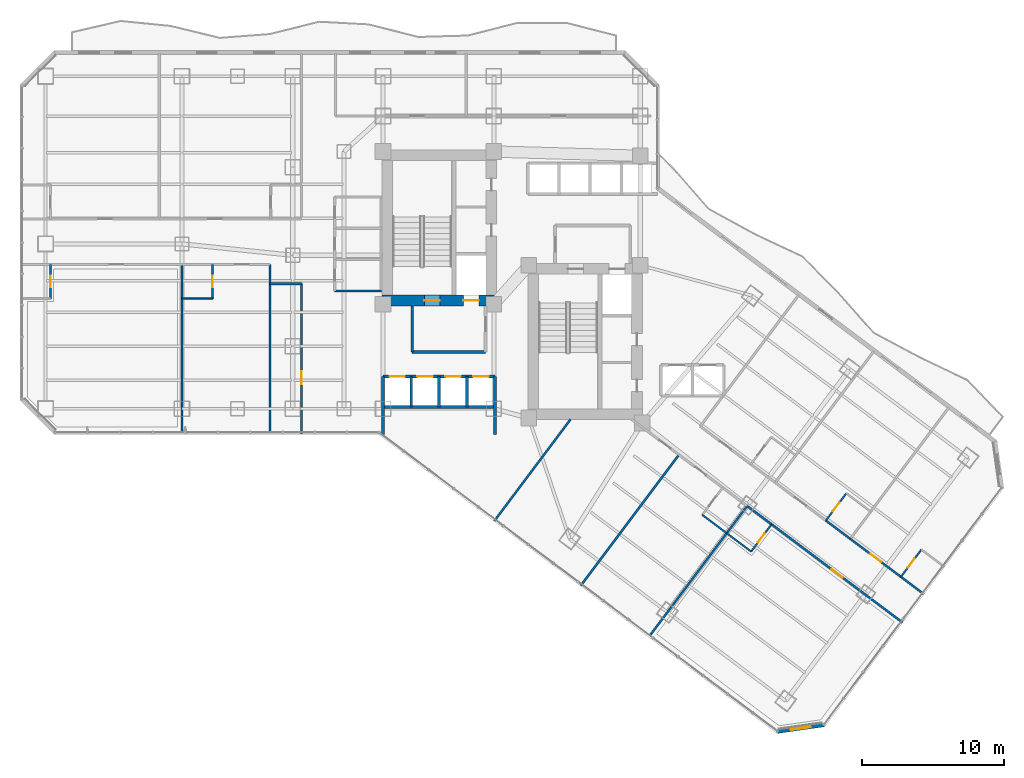
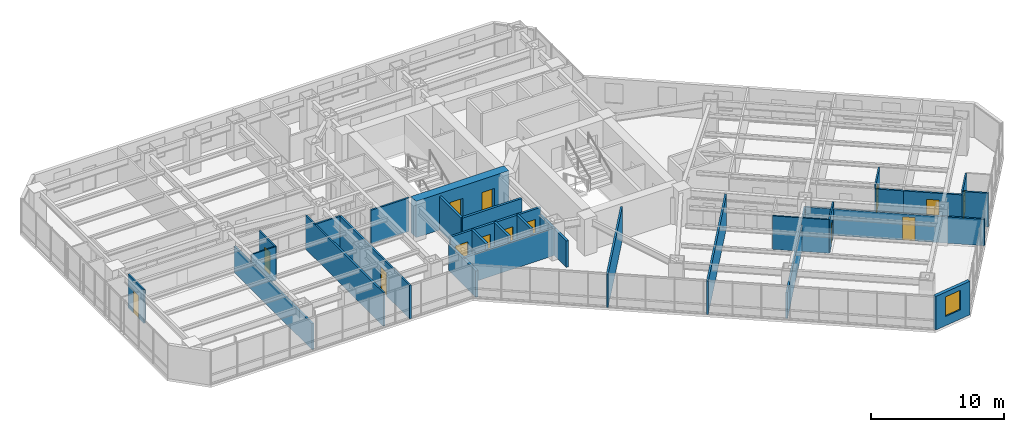
# One storey, part 28 of 39: 32 walls, 14 doors, 1 window, 15 openings.
"""IFC4 building model written with IfcOpenShell, lengths in metres."""

from ifc_helpers import new_model, si_unit, direction, frame, frame_2d, origin, place, context, subcontext, project, spatial, rectangle, extrude, material, layer, layer_set, type_object, element, fill, save


model = new_model("IFC4")

# Units and contexts
model_context = context("Model", 3, precision=1e-05, world=origin(), true_north=direction((0.0, 1.0)))
body_context = subcontext(model_context, "Body", "Model", "MODEL_VIEW")
ifc_project = project(units=[si_unit("LENGTHUNIT", "METRE"), si_unit("AREAUNIT", "SQUARE_METRE"), si_unit("VOLUMEUNIT", "CUBIC_METRE"), si_unit("PLANEANGLEUNIT", "RADIAN"), si_unit("MASSUNIT", "GRAM", prefix="KILO")], contexts=[model_context])

# Site, building, storey
site_placement = place(None, origin())
site = spatial("IfcSite", under=ifc_project, at=site_placement, CompositionType="ELEMENT")
building_placement = place(site_placement, origin())
building = spatial("IfcBuilding", under=site, at=building_placement, Name="Hatsunagi Terrace Concourse", CompositionType="ELEMENT")
storey_placement = place(building_placement, frame((0.0, 0.0, 66.75)))
storey = spatial("IfcBuildingStorey", under=building, at=storey_placement, Name="L17", CompositionType="ELEMENT", Elevation=66.75)

# Wall, openings, doors
ifc_material_1 = material(Name="Concrete Fc60", Category="concrete")
ifc_layer_1 = layer(ifc_material_1, 0.75)
ifc_layer_set_1 = layer_set([ifc_layer_1], Name="CoreShearWall_Fc60_750")
wall_type_1 = type_object("IfcWallType", Name="CoreShearWall_Fc60_750", PredefinedType="SHEAR", material=ifc_layer_set_1)
wall_1_placement = place(storey_placement, frame((25.469970703125, 32.81494140625, 0.0), z_axis=(0.0, 0.0, 1.0), x_axis=(1.0, 0.0, 0.0)))
wall_1 = element("IfcWall", 1, at=wall_1_placement, inside=storey, type_object=wall_type_1, Name="Core A Shear Wall S L17", PredefinedType="SHEAR", context=body_context, shape_type="SweptSolid", body=[
    extrude(rectangle(XDim=8.080078125, YDim=0.75, at=frame_2d((4.0400390625, 0.0))), origin(), (0.0, 0.0, 1.0), 3.35009765625),
])
opening_1_placement = place(wall_1_placement, frame((2.97998046875, 0.0, 0.0)))
opening_1 = element("IfcOpeningElement", 2, at=opening_1_placement, cuts=wall_1, Name="Opening DR-110S", PredefinedType="OPENING", context=body_context, shape_type="SweptSolid", body=[
    extrude(rectangle(XDim=1.10009765625, YDim=2.199951171875, at=frame_2d((0.550048828125, 1.10009765625))), frame((0.0, 0.385009765625, 0.0), z_axis=(0.0, -1.0, 0.0), x_axis=(1.0, 0.0, 0.0)), (0.0, 0.0, 1.0), 0.77001953125),
])
opening_2_placement = place(wall_1_placement, frame((5.72998046875, 0.0, 0.0)))
opening_2 = element("IfcOpeningElement", 3, at=opening_2_placement, cuts=wall_1, Name="Opening LD-01", PredefinedType="OPENING", context=body_context, shape_type="SweptSolid", body=[
    extrude(rectangle(XDim=1.10009765625, YDim=2.14990234375, at=frame_2d((0.550048828125, 1.074951171875))), frame((0.0, 0.385009765625, 0.0), z_axis=(0.0, -1.0, 0.0), x_axis=(1.0, 0.0, 0.0)), (0.0, 0.0, 1.0), 0.77001953125),
])
ifc_material_2 = material(Name="Stainless steel", Category="steel")
door_type_1 = type_object("IfcDoorType", Name="LiftLandingDoor_LD01", OperationType="SLIDING_TO_LEFT", PredefinedType="USERDEFINED", material=ifc_material_2)
door_1_placement = place(opening_2_placement, origin())
door_1 = element("IfcDoor", 4, at=door_1_placement, inside=storey, type_object=door_type_1, Name="Lift landing door FF-01 L17", ObjectType="SLIDING_LANDING_DOOR", OperationType="SLIDING_TO_LEFT", OverallHeight=2.14990234375, OverallWidth=1.10009765625, PredefinedType="USERDEFINED", context=body_context, shape_type="SweptSolid", body=[
    extrude(rectangle(XDim=1.10009765625, YDim=2.14990234375, at=frame_2d((0.550048828125, 1.074951171875))), frame((0.0, 0.02490234375, 0.0), z_axis=(0.0, -1.0, 0.0), x_axis=(1.0, 0.0, 0.0)), (0.0, 0.0, 1.0), 0.050048828125),
])
fill(opening_2, door_1)
ifc_material_3 = material(Name="Painted steel", Category="steel")
door_type_2 = type_object("IfcDoorType", Name="StairFireDoor_EI60_1100", OperationType="NOTDEFINED", PredefinedType="DOOR", material=ifc_material_3)
door_2_placement = place(opening_1_placement, origin())
door_2 = element("IfcDoor", 5, at=door_2_placement, inside=storey, type_object=door_type_2, Name="Stair ST-A Exit Door L17", OperationType="SINGLE_SWING_LEFT", OverallHeight=2.199951171875, OverallWidth=1.10009765625, PredefinedType="DOOR", context=body_context, shape_type="SweptSolid", body=[
    extrude(rectangle(XDim=1.10009765625, YDim=2.199951171875, at=frame_2d((0.550048828125, 1.10009765625))), frame((0.0, 0.02490234375, 0.0), z_axis=(0.0, -1.0, 0.0), x_axis=(1.0, 0.0, 0.0)), (0.0, 0.0, 1.0), 0.050048828125),
])
fill(opening_1, door_2)

# Wall, opening, door
ifc_material_4 = material(Name="Acoustic mineral board", Category="gypsum")
ifc_layer_2 = layer(ifc_material_4, 0.1201171875)
ifc_layer_set_2 = layer_set([ifc_layer_2], Name="PartitionWall_EI30_120")
wall_type_2 = type_object("IfcWallType", Name="PartitionWall_EI30_120", PredefinedType="PARTITIONING", material=ifc_layer_set_2)
wall_2_placement = place(storey_placement, frame((2.14990234375, 32.949951171875, 0.0), z_axis=(0.0, 0.0, 1.0), x_axis=(0.0, 1.0, 0.0)))
wall_2 = element("IfcWall", 6, at=wall_2_placement, inside=storey, type_object=wall_type_2, Name="Interior Partition IW-L17-056", PredefinedType="PARTITIONING", context=body_context, shape_type="SweptSolid", body=[
    extrude(rectangle(XDim=2.400146484375, YDim=0.1201171875, at=frame_2d((1.2001953125, 0.0))), origin(), (0.0, 0.0, 1.0), 3.090087890625),
])
opening_3_placement = place(wall_2_placement, frame((0.800048828125, 0.0, 0.0)))
opening_3 = element("IfcOpeningElement", 7, at=opening_3_placement, cuts=wall_2, Name="Opening DR-080", PredefinedType="OPENING", context=body_context, shape_type="SweptSolid", body=[
    extrude(rectangle(XDim=0.800048828125, YDim=2.06005859375, at=frame_2d((0.39990234375, 1.030029296875))), frame((0.0, 0.070068359375, 0.0), z_axis=(0.0, -1.0, 0.0), x_axis=(1.0, 0.0, 0.0)), (0.0, 0.0, 1.0), 0.14013671875),
])
ifc_material_5 = material(Name="Hardwood timber", Category="wood")
door_type_3 = type_object("IfcDoorType", Name="BathroomDoor_800", OperationType="NOTDEFINED", PredefinedType="DOOR", material=ifc_material_5)
door_3_placement = place(opening_3_placement, origin())
door_3 = element("IfcDoor", 8, at=door_3_placement, inside=storey, type_object=door_type_3, Name="En-Suite Bathroom L17-S1 Door", OperationType="SINGLE_SWING_RIGHT", OverallHeight=2.06005859375, OverallWidth=0.800048828125, PredefinedType="DOOR", context=body_context, shape_type="SweptSolid", body=[
    extrude(rectangle(XDim=0.800048828125, YDim=2.06005859375, at=frame_2d((0.39990234375, 1.030029296875))), frame((0.0, 0.02490234375, 0.0), z_axis=(0.0, -1.0, 0.0), x_axis=(1.0, 0.0, 0.0)), (0.0, 0.0, 1.0), 0.050048828125),
])
fill(opening_3, door_3)

wall_3_placement = place(storey_placement, frame((13.550048828125, 32.949951171875, 0.0), z_axis=(0.0, 0.0, 1.0), x_axis=(0.0, 1.0, 0.0)))
wall_3 = element("IfcWall", 9, at=wall_3_placement, inside=storey, type_object=wall_type_2, Name="Interior Partition IW-L17-061", PredefinedType="PARTITIONING", context=body_context, shape_type="SweptSolid", body=[
    extrude(rectangle(XDim=2.400146484375, YDim=0.1201171875, at=frame_2d((1.2001953125, 0.0))), origin(), (0.0, 0.0, 1.0), 3.090087890625),
])
opening_4_placement = place(wall_3_placement, frame((0.800048828125, 0.0, 0.0)))
opening_4 = element("IfcOpeningElement", 10, at=opening_4_placement, cuts=wall_3, Name="Opening DR-080", PredefinedType="OPENING", context=body_context, shape_type="SweptSolid", body=[
    extrude(rectangle(XDim=0.800048828125, YDim=2.06005859375, at=frame_2d((0.39990234375, 1.030029296875))), frame((0.0, 0.070068359375, 0.0), z_axis=(0.0, -1.0, 0.0), x_axis=(1.0, 0.0, 0.0)), (0.0, 0.0, 1.0), 0.14013671875),
])
door_4_placement = place(opening_4_placement, origin())
door_4 = element("IfcDoor", 11, at=door_4_placement, inside=storey, type_object=door_type_3, Name="En-Suite Bathroom L17-S2 Door", OperationType="SINGLE_SWING_RIGHT", OverallHeight=2.06005859375, OverallWidth=0.800048828125, PredefinedType="DOOR", context=body_context, shape_type="SweptSolid", body=[
    extrude(rectangle(XDim=0.800048828125, YDim=2.06005859375, at=frame_2d((0.39990234375, 1.030029296875))), frame((0.0, 0.02490234375, 0.0), z_axis=(0.0, -1.0, 0.0), x_axis=(1.0, 0.0, 0.0)), (0.0, 0.0, 1.0), 0.050048828125),
])
fill(opening_4, door_4)

# Wall
wall_4_placement = place(storey_placement, frame((11.39990234375, 32.949951171875, 0.0), z_axis=(0.0, 0.0, 1.0), x_axis=(1.0, 0.0, 0.0)))
element("IfcWall", 12, at=wall_4_placement, inside=storey, type_object=wall_type_2, Name="Interior Partition IW-L17-062", PredefinedType="PARTITIONING", context=body_context, shape_type="SweptSolid", body=[
    extrude(rectangle(XDim=2.150146484375, YDim=0.1201171875, at=frame_2d((1.0751953125, 0.0))), origin(), (0.0, 0.0, 1.0), 3.090087890625),
])

# Wall, opening, door
wall_5_placement = place(storey_placement, frame((56.7099609375, 17.330078125, 0.0), z_axis=(0.0, 0.0, 1.0), x_axis=(0.6, 0.8, 0.0)))
wall_5 = element("IfcWall", 13, at=wall_5_placement, inside=storey, type_object=wall_type_2, Name="Interior Partition IW-L17-074", PredefinedType="PARTITIONING", context=body_context, shape_type="SweptSolid", body=[
    extrude(rectangle(XDim=2.39990234375, YDim=0.1201171875, at=frame_2d((1.199951171875, 0.0))), origin(), (0.0, 0.0, 1.0), 3.090087890625),
])
opening_5_placement = place(wall_5_placement, frame((0.800048828125, 0.0, 0.0)))
opening_5 = element("IfcOpeningElement", 14, at=opening_5_placement, cuts=wall_5, Name="Opening DR-080", PredefinedType="OPENING", context=body_context, shape_type="SweptSolid", body=[
    extrude(rectangle(XDim=0.800048828125, YDim=2.06005859375, at=frame_2d((0.39990234375, 1.030029296875))), frame((0.0, 0.070068359375, 0.0), z_axis=(0.0, -1.0, 0.0), x_axis=(1.0, 0.0, 0.0)), (0.0, 0.0, 1.0), 0.14013671875),
])
door_5_placement = place(opening_5_placement, origin())
door_5 = element("IfcDoor", 15, at=door_5_placement, inside=storey, type_object=door_type_3, Name="En-Suite Bathroom L17-SENE2 Door", OperationType="SINGLE_SWING_RIGHT", OverallHeight=2.06005859375, OverallWidth=0.800048828125, PredefinedType="DOOR", context=body_context, shape_type="SweptSolid", body=[
    extrude(rectangle(XDim=0.800048828125, YDim=2.06005859375, at=frame_2d((0.39990234375, 1.030029296875))), frame((0.0, 0.02490234375, 0.0), z_axis=(0.0, -1.0, 0.0), x_axis=(1.0, 0.0, 0.0)), (0.0, 0.0, 1.0), 0.050048828125),
])
fill(opening_5, door_5)

wall_6_placement = place(storey_placement, frame((61.989990234375, 13.3701171875, 0.0), z_axis=(0.0, 0.0, 1.0), x_axis=(0.6, 0.8, 0.0)))
wall_6 = element("IfcWall", 16, at=wall_6_placement, inside=storey, type_object=wall_type_2, Name="Interior Partition IW-L17-079", PredefinedType="PARTITIONING", context=body_context, shape_type="SweptSolid", body=[
    extrude(rectangle(XDim=2.39990234375, YDim=0.1201171875, at=frame_2d((1.199951171875, 0.0))), origin(), (0.0, 0.0, 1.0), 3.090087890625),
])
opening_6_placement = place(wall_6_placement, frame((0.800048828125, 0.0, 0.0)))
opening_6 = element("IfcOpeningElement", 17, at=opening_6_placement, cuts=wall_6, Name="Opening DR-080", PredefinedType="OPENING", context=body_context, shape_type="SweptSolid", body=[
    extrude(rectangle(XDim=0.800048828125, YDim=2.06005859375, at=frame_2d((0.39990234375, 1.030029296875))), frame((0.0, 0.070068359375, 0.0), z_axis=(0.0, -1.0, 0.0), x_axis=(1.0, 0.0, 0.0)), (0.0, 0.0, 1.0), 0.14013671875),
])
door_6_placement = place(opening_6_placement, origin())
door_6 = element("IfcDoor", 18, at=door_6_placement, inside=storey, type_object=door_type_3, Name="En-Suite Bathroom L17-SENE3 Door", OperationType="SINGLE_SWING_RIGHT", OverallHeight=2.06005859375, OverallWidth=0.800048828125, PredefinedType="DOOR", context=body_context, shape_type="SweptSolid", body=[
    extrude(rectangle(XDim=0.800048828125, YDim=2.06005859375, at=frame_2d((0.39990234375, 1.030029296875))), frame((0.0, 0.02490234375, 0.0), z_axis=(0.0, -1.0, 0.0), x_axis=(1.0, 0.0, 0.0)), (0.0, 0.0, 1.0), 0.050048828125),
])
fill(opening_6, door_6)

# Wall
wall_7_placement = place(storey_placement, frame((48.010009765625, 17.72998046875, 0.0), z_axis=(0.0, 0.0, 1.0), x_axis=(0.79998637334, -0.60001816845, 0.0)))
element("IfcWall", 19, at=wall_7_placement, inside=storey, type_object=wall_type_2, Name="Interior Partition IW-L17-084", PredefinedType="PARTITIONING", context=body_context, shape_type="SweptSolid", body=[
    extrude(rectangle(XDim=2.14990234375, YDim=0.1201171875, at=frame_2d((1.074951171875, 0.0))), origin(), (0.0, 0.0, 1.0), 3.090087890625),
])

# Wall, opening, door
wall_8_placement = place(storey_placement, frame((51.449951171875, 15.14990234375, 0.0), z_axis=(0.0, 0.0, 1.0), x_axis=(0.599951172744, 0.800036618114, 0.0)))
wall_8 = element("IfcWall", 20, at=wall_8_placement, inside=storey, type_object=wall_type_2, Name="Interior Partition IW-L17-088", PredefinedType="PARTITIONING", context=body_context, shape_type="SweptSolid", body=[
    extrude(rectangle(XDim=2.400146484375, YDim=0.1201171875, at=frame_2d((1.2001953125, 0.0))), origin(), (0.0, 0.0, 1.0), 3.090087890625),
])
opening_7_placement = place(wall_8_placement, frame((0.800048828125, 0.0, 0.0)))
opening_7 = element("IfcOpeningElement", 21, at=opening_7_placement, cuts=wall_8, Name="Opening DR-080", PredefinedType="OPENING", context=body_context, shape_type="SweptSolid", body=[
    extrude(rectangle(XDim=0.800048828125, YDim=2.06005859375, at=frame_2d((0.39990234375, 1.030029296875))), frame((0.0, 0.070068359375, 0.0), z_axis=(0.0, -1.0, 0.0), x_axis=(1.0, 0.0, 0.0)), (0.0, 0.0, 1.0), 0.14013671875),
])
door_7_placement = place(opening_7_placement, origin())
door_7 = element("IfcDoor", 22, at=door_7_placement, inside=storey, type_object=door_type_3, Name="En-Suite Bathroom L17-SESW2 Door", OperationType="SINGLE_SWING_RIGHT", OverallHeight=2.06005859375, OverallWidth=0.800048828125, PredefinedType="DOOR", context=body_context, shape_type="SweptSolid", body=[
    extrude(rectangle(XDim=0.800048828125, YDim=2.06005859375, at=frame_2d((0.39990234375, 1.030029296875))), frame((0.0, 0.02490234375, 0.0), z_axis=(0.0, -1.0, 0.0), x_axis=(1.0, 0.0, 0.0)), (0.0, 0.0, 1.0), 0.050048828125),
])
fill(opening_7, door_7)

# Walls
wall_9_placement = place(storey_placement, frame((49.72998046875, 16.43994140625, 0.0), z_axis=(0.0, 0.0, 1.0), x_axis=(0.79998637334, -0.60001816845, 0.0)))
element("IfcWall", 23, at=wall_9_placement, inside=storey, type_object=wall_type_2, Name="Interior Partition IW-L17-089", PredefinedType="PARTITIONING", context=body_context, shape_type="SweptSolid", body=[
    extrude(rectangle(XDim=2.14990234375, YDim=0.1201171875, at=frame_2d((1.074951171875, 0.0))), origin(), (0.0, 0.0, 1.0), 3.090087890625),
])
ifc_material_6 = material(Name="Acoustic mineral board", Category="gypsum")
ifc_layer_3 = layer(ifc_material_6, 0.14990234375)
ifc_layer_set_3 = layer_set([ifc_layer_3], Name="PartitionWall_EI60_150")
wall_type_3 = type_object("IfcWallType", Name="PartitionWall_EI60_150", PredefinedType="PARTITIONING", material=ifc_layer_set_3)
wall_10_placement = place(storey_placement, frame((22.14990234375, 33.5, 0.0), z_axis=(0.0, 0.0, 1.0), x_axis=(1.0, 0.0, 0.0)))
element("IfcWall", 24, at=wall_10_placement, inside=storey, type_object=wall_type_3, Name="Interior Partition IW-L17-029", PredefinedType="PARTITIONING", context=body_context, shape_type="SweptSolid", body=[
    extrude(rectangle(XDim=3.300048828125, YDim=0.14990234375, at=frame_2d((1.64990234375, 0.0))), origin(), (0.0, 0.0, 1.0), 3.090087890625),
])
wall_11_placement = place(storey_placement, frame((33.384033203125, 17.31201171875, 0.0), z_axis=(0.0, 0.0, 1.0), x_axis=(0.600008743659, 0.799993442181, 0.0)))
element("IfcWall", 25, at=wall_11_placement, inside=storey, type_object=wall_type_3, Name="Interior Partition IW-L17-042", PredefinedType="PARTITIONING", context=body_context, shape_type="SweptSolid", body=[
    extrude(rectangle(XDim=8.93505859375, YDim=0.14990234375, at=frame_2d((4.467529296875, 0.0))), origin(), (0.0, 0.0, 1.0), 3.090087890625),
])
wall_12_placement = place(storey_placement, frame((39.464111328125, 12.751953125, 0.0), z_axis=(0.0, 0.0, 1.0), x_axis=(0.6, 0.8, 0.0)))
element("IfcWall", 26, at=wall_12_placement, inside=storey, type_object=wall_type_3, Name="Interior Partition IW-L17-043", PredefinedType="PARTITIONING", context=body_context, shape_type="SweptSolid", body=[
    extrude(rectangle(XDim=11.510009765625, YDim=0.14990234375, at=frame_2d((5.7548828125, 0.0))), origin(), (0.0, 0.0, 1.0), 3.090087890625),
])
wall_13_placement = place(storey_placement, frame((11.39990234375, 23.60009765625, 0.0), z_axis=(0.0, 0.0, 1.0), x_axis=(0.0, 1.0, 0.0)))
element("IfcWall", 27, at=wall_13_placement, inside=storey, type_object=wall_type_3, Name="Interior Partition IW-L17-058", PredefinedType="PARTITIONING", context=body_context, shape_type="SweptSolid", body=[
    extrude(rectangle(XDim=11.75, YDim=0.14990234375, at=frame_2d((5.875, 0.0))), origin(), (0.0, 0.0, 1.0), 2.425048828125),
])
wall_14_placement = place(storey_placement, frame((17.60009765625, 23.60009765625, 0.0), z_axis=(0.0, 0.0, 1.0), x_axis=(0.0, 1.0, 0.0)))
element("IfcWall", 28, at=wall_14_placement, inside=storey, type_object=wall_type_3, Name="Interior Partition IW-L17-063", PredefinedType="PARTITIONING", context=body_context, shape_type="SweptSolid", body=[
    extrude(rectangle(XDim=11.75, YDim=0.14990234375, at=frame_2d((5.875, 0.0))), origin(), (0.0, 0.0, 1.0), 3.090087890625),
])
wall_15_placement = place(storey_placement, frame((17.60009765625, 34.0, 0.0), z_axis=(0.0, 0.0, 1.0), x_axis=(1.0, 0.0, 0.0)))
element("IfcWall", 29, at=wall_15_placement, inside=storey, type_object=wall_type_3, Name="Interior Partition IW-L17-064", PredefinedType="PARTITIONING", context=body_context, shape_type="SweptSolid", body=[
    extrude(rectangle(XDim=2.199951171875, YDim=0.14990234375, at=frame_2d((1.10009765625, 0.0))), origin(), (0.0, 0.0, 1.0), 3.090087890625),
])

# Wall, opening, door
wall_16_placement = place(storey_placement, frame((19.800048828125, 23.43994140625, 0.0), z_axis=(0.0, 0.0, 1.0), x_axis=(0.0, 1.0, 0.0)))
wall_16 = element("IfcWall", 30, at=wall_16_placement, inside=storey, type_object=wall_type_3, Name="Interior Partition IW-L17-065", PredefinedType="PARTITIONING", context=body_context, shape_type="SweptSolid", body=[
    extrude(rectangle(XDim=10.56005859375, YDim=0.14990234375, at=frame_2d((5.280029296875, 0.0))), origin(), (0.0, 0.0, 1.0), 3.090087890625),
])
opening_8_placement = place(wall_16_placement, frame((3.4951171875, 0.0, 0.0)))
opening_8 = element("IfcOpeningElement", 31, at=opening_8_placement, cuts=wall_16, Name="Opening DR-090", PredefinedType="OPENING", context=body_context, shape_type="SweptSolid", body=[
    extrude(rectangle(XDim=0.89990234375, YDim=2.14990234375, at=frame_2d((0.449951171875, 1.074951171875))), frame((0.0, 0.0849609375, 0.0), z_axis=(0.0, -1.0, 0.0), x_axis=(1.0, 0.0, 0.0)), (0.0, 0.0, 1.0), 0.169921875),
])
ifc_material_7 = material(Name="Hardwood timber", Category="wood")
door_type_4 = type_object("IfcDoorType", Name="CrownPavilionDoor_EI30_900", OperationType="NOTDEFINED", PredefinedType="DOOR", material=ifc_material_7)
door_8_placement = place(opening_8_placement, origin())
door_8 = element("IfcDoor", 32, at=door_8_placement, inside=storey, type_object=door_type_4, Name="Catering Pantry L17-HPAN Door", OperationType="SINGLE_SWING_RIGHT", OverallHeight=2.14990234375, OverallWidth=0.89990234375, PredefinedType="DOOR", context=body_context, shape_type="SweptSolid", body=[
    extrude(rectangle(XDim=0.89990234375, YDim=2.14990234375, at=frame_2d((0.449951171875, 1.074951171875))), frame((0.0, 0.02490234375, 0.0), z_axis=(0.0, -1.0, 0.0), x_axis=(1.0, 0.0, 0.0)), (0.0, 0.0, 1.0), 0.050048828125),
])
fill(opening_8, door_8)

# Wall
wall_17_placement = place(storey_placement, frame((56.7099609375, 17.330078125, 0.0), z_axis=(0.0, 0.0, 1.0), x_axis=(0.79998637334, -0.60001816845, 0.0)))
element("IfcWall", 33, at=wall_17_placement, inside=storey, type_object=wall_type_3, Name="Interior Partition IW-L17-073", PredefinedType="PARTITIONING", context=body_context, shape_type="SweptSolid", body=[
    extrude(rectangle(XDim=2.14990234375, YDim=0.14990234375, at=frame_2d((1.074951171875, 0.0))), origin(), (0.0, 0.0, 1.0), 2.77490234375),
])

# Wall, opening, door
wall_18_placement = place(storey_placement, frame((58.429931640625, 16.0400390625, 0.0), z_axis=(0.0, 0.0, 1.0), x_axis=(0.800013166942, -0.599982443676, 0.0)))
wall_18 = element("IfcWall", 34, at=wall_18_placement, inside=storey, type_object=wall_type_3, Name="Interior Partition IW-L17-077", PredefinedType="PARTITIONING", context=body_context, shape_type="SweptSolid", body=[
    extrude(rectangle(XDim=4.449951171875, YDim=0.14990234375, at=frame_2d((2.22509765625, 0.0))), origin(), (0.0, 0.0, 1.0), 2.77490234375),
])
opening_9_placement = place(wall_18_placement, frame((1.75, 0.0, 0.0)))
opening_9 = element("IfcOpeningElement", 35, at=opening_9_placement, cuts=wall_18, Name="Opening DR-095", PredefinedType="OPENING", context=body_context, shape_type="SweptSolid", body=[
    extrude(rectangle(XDim=0.949951171875, YDim=2.14990234375, at=frame_2d((0.47509765625, 1.074951171875))), frame((0.0, 0.0849609375, 0.0), z_axis=(0.0, -1.0, 0.0), x_axis=(1.0, 0.0, 0.0)), (0.0, 0.0, 1.0), 0.169921875),
])
ifc_material_8 = material(Name="Hardwood timber", Category="wood")
door_type_5 = type_object("IfcDoorType", Name="InteriorSuiteDoor_EI30_950", OperationType="NOTDEFINED", PredefinedType="DOOR", material=ifc_material_8)
door_9_placement = place(opening_9_placement, origin())
door_9 = element("IfcDoor", 36, at=door_9_placement, inside=storey, type_object=door_type_5, Name="Hotel Guest Room L17-SENE3 Door", OperationType="SINGLE_SWING_LEFT", OverallHeight=2.14990234375, OverallWidth=0.949951171875, PredefinedType="DOOR", context=body_context, shape_type="SweptSolid", body=[
    extrude(rectangle(XDim=0.949951171875, YDim=2.14990234375, at=frame_2d((0.47509765625, 1.074951171875))), frame((0.0, 0.02490234375, 0.0), z_axis=(0.0, -1.0, 0.0), x_axis=(1.0, 0.0, 0.0)), (0.0, 0.0, 1.0), 0.050048828125),
])
fill(opening_9, door_9)

# Walls
wall_19_placement = place(storey_placement, frame((61.989990234375, 13.3701171875, 0.0), z_axis=(0.0, 0.0, 1.0), x_axis=(0.79997084737, -0.600038868206, 0.0)))
element("IfcWall", 37, at=wall_19_placement, inside=storey, type_object=wall_type_3, Name="Interior Partition IW-L17-078", PredefinedType="PARTITIONING", context=body_context, shape_type="SweptSolid", body=[
    extrude(rectangle(XDim=2.010009765625, YDim=0.14990234375, at=frame_2d((1.0048828125, 0.0))), origin(), (0.0, 0.0, 1.0), 3.090087890625),
])
wall_20_placement = place(storey_placement, frame((44.360107421875, 9.280029296875, 0.0), z_axis=(0.0, 0.0, 1.0), x_axis=(0.599986233332, 0.800010324816, 0.0)))
element("IfcWall", 38, at=wall_20_placement, inside=storey, type_object=wall_type_3, Name="Interior Partition IW-L17-085", PredefinedType="PARTITIONING", context=body_context, shape_type="SweptSolid", body=[
    extrude(rectangle(XDim=11.349853515625, YDim=0.14990234375, at=frame_2d((5.6748046875, 0.0))), origin(), (0.0, 0.0, 1.0), 2.425048828125),
])
wall_21_placement = place(storey_placement, frame((51.169921875, 18.360107421875, 0.0), z_axis=(0.0, 0.0, 1.0), x_axis=(0.79998637334, -0.60001816845, 0.0)))
element("IfcWall", 39, at=wall_21_placement, inside=storey, type_object=wall_type_3, Name="Interior Partition IW-L17-086", PredefinedType="PARTITIONING", context=body_context, shape_type="SweptSolid", body=[
    extrude(rectangle(XDim=2.14990234375, YDim=0.14990234375, at=frame_2d((1.074951171875, 0.0))), origin(), (0.0, 0.0, 1.0), 2.425048828125),
])

# Wall, opening, door
wall_22_placement = place(storey_placement, frame((52.889892578125, 17.070068359375, 0.0), z_axis=(0.0, 0.0, 1.0), x_axis=(0.8, -0.6, 0.0)))
wall_22 = element("IfcWall", 40, at=wall_22_placement, inside=storey, type_object=wall_type_3, Name="Interior Partition IW-L17-087", PredefinedType="PARTITIONING", context=body_context, shape_type="SweptSolid", body=[
    extrude(rectangle(XDim=11.510009765625, YDim=0.14990234375, at=frame_2d((5.7548828125, 0.0))), origin(), (0.0, 0.0, 1.0), 2.425048828125),
])
opening_10_placement = place(wall_22_placement, frame((5.280029296875, 0.0, 0.0)))
opening_10 = element("IfcOpeningElement", 41, at=opening_10_placement, cuts=wall_22, Name="Opening DR-095", PredefinedType="OPENING", context=body_context, shape_type="SweptSolid", body=[
    extrude(rectangle(XDim=0.949951171875, YDim=2.14990234375, at=frame_2d((0.47509765625, 1.074951171875))), frame((0.0, 0.0849609375, 0.0), z_axis=(0.0, -1.0, 0.0), x_axis=(1.0, 0.0, 0.0)), (0.0, 0.0, 1.0), 0.169921875),
])
door_10_placement = place(opening_10_placement, origin())
door_10 = element("IfcDoor", 42, at=door_10_placement, inside=storey, type_object=door_type_5, Name="Corner Hotel Suite L17-SESW2 Door", OperationType="SINGLE_SWING_RIGHT", OverallHeight=2.14990234375, OverallWidth=0.949951171875, PredefinedType="DOOR", context=body_context, shape_type="SweptSolid", body=[
    extrude(rectangle(XDim=0.949951171875, YDim=2.14990234375, at=frame_2d((0.47509765625, 1.074951171875))), frame((0.0, 0.02490234375, 0.0), z_axis=(0.0, -1.0, 0.0), x_axis=(1.0, 0.0, 0.0)), (0.0, 0.0, 1.0), 0.050048828125),
])
fill(opening_10, door_10)

# Walls
ifc_material_9 = material(Name="Acoustic mineral board", Category="gypsum")
ifc_layer_4 = layer(ifc_material_9, 0.199951171875)
ifc_layer_set_4 = layer_set([ifc_layer_4], Name="ShaftWall_EI120_200")
wall_type_4 = type_object("IfcWallType", Name="ShaftWall_EI120_200", PredefinedType="STANDARD", material=ifc_layer_set_4)
wall_23_placement = place(storey_placement, frame((27.60009765625, 29.199951171875, 0.0), z_axis=(0.0, 0.0, 1.0), x_axis=(1.0, 0.0, 0.0)))
element("IfcWall", 43, at=wall_23_placement, inside=storey, type_object=wall_type_4, Name="Interior Partition IW-L17-005", PredefinedType="STANDARD", context=body_context, shape_type="SweptSolid", body=[
    extrude(rectangle(XDim=5.14990234375, YDim=0.199951171875, at=frame_2d((2.574951171875, 0.0))), origin(), (0.0, 0.0, 1.0), 3.090087890625),
])
wall_24_placement = place(storey_placement, frame((27.60009765625, 29.199951171875, 0.0), z_axis=(0.0, 0.0, 1.0), x_axis=(0.0, 1.0, 0.0)))
element("IfcWall", 44, at=wall_24_placement, inside=storey, type_object=wall_type_4, Name="Interior Partition IW-L17-006", PredefinedType="STANDARD", context=body_context, shape_type="SweptSolid", body=[
    extrude(rectangle(XDim=3.239990234375, YDim=0.199951171875, at=frame_2d((1.6201171875, 0.0))), origin(), (0.0, 0.0, 1.0), 3.090087890625),
])
for number, where, z_axis, x_axis, name in (
    (45, (25.550048828125, 23.39990234375, 0.0), (0.0, 0.0, 1.0), (0.0, 1.0, 0.0), "Interior Partition IW-L17-011"),
    (46, (33.429931640625, 23.39990234375, 0.0), (0.0, 0.0, 1.0), (0.0, 1.0, 0.0), "Interior Partition IW-L17-012"),
):
    element("IfcWall", number, at=place(storey_placement, frame(where, z_axis=z_axis, x_axis=x_axis)), inside=storey, type_object=wall_type_4, Name=name, PredefinedType="STANDARD", context=body_context, shape_type="SweptSolid", body=[
        extrude(rectangle(XDim=4.080078125, YDim=0.199951171875, at=frame_2d((2.0400390625, 0.0))), origin(), (0.0, 0.0, 1.0), 2.425048828125),
    ])
wall_25_placement = place(storey_placement, frame((25.550048828125, 25.320068359375, 0.0), z_axis=(0.0, 0.0, 1.0), x_axis=(1.0, 0.0, 0.0)))
element("IfcWall", 47, at=wall_25_placement, inside=storey, type_object=wall_type_4, Name="Interior Partition IW-L17-013", PredefinedType="STANDARD", context=body_context, shape_type="SweptSolid", body=[
    extrude(rectangle(XDim=7.8798828125, YDim=0.199951171875, at=frame_2d((3.93994140625, 0.0))), origin(), (0.0, 0.0, 1.0), 2.52490234375),
])
for number, where, z_axis, x_axis, name in (
    (48, (27.530029296875, 25.320068359375, 0.0), (0.0, 0.0, 1.0), (0.0, 1.0, 0.0), "Interior Partition IW-L17-014"),
    (49, (29.489990234375, 25.320068359375, 0.0), (0.0, 0.0, 1.0), (0.0, 1.0, 0.0), "Interior Partition IW-L17-015"),
    (50, (31.449951171875, 25.320068359375, 0.0), (0.0, 0.0, 1.0), (0.0, 1.0, 0.0), "Interior Partition IW-L17-016"),
):
    element("IfcWall", number, at=place(storey_placement, frame(where, z_axis=z_axis, x_axis=x_axis)), inside=storey, type_object=wall_type_4, Name=name, PredefinedType="STANDARD", context=body_context, shape_type="SweptSolid", body=[
        extrude(rectangle(XDim=2.159912109375, YDim=0.199951171875, at=frame_2d((1.080078125, 0.0))), origin(), (0.0, 0.0, 1.0), 3.090087890625),
    ])

# Wall, openings, doors
wall_26_placement = place(storey_placement, frame((25.550048828125, 27.47998046875, 0.0), z_axis=(0.0, 0.0, 1.0), x_axis=(1.0, 0.0, 0.0)))
wall_26 = element("IfcWall", 51, at=wall_26_placement, inside=storey, type_object=wall_type_4, Name="Interior Partition IW-L17-017", PredefinedType="STANDARD", context=body_context, shape_type="SweptSolid", body=[
    extrude(rectangle(XDim=7.8798828125, YDim=0.199951171875, at=frame_2d((3.93994140625, 0.0))), origin(), (0.0, 0.0, 1.0), 3.090087890625),
])
opening_11_placement = place(wall_26_placement, frame((0.4599609375, 0.0, 0.0)))
opening_11 = element("IfcOpeningElement", 52, at=opening_11_placement, cuts=wall_26, Name="Opening LD-03", PredefinedType="OPENING", context=body_context, shape_type="SweptSolid", body=[
    extrude(rectangle(XDim=1.080078125, YDim=2.14990234375, at=frame_2d((0.5400390625, 1.074951171875))), frame((0.0, 0.10986328125, 0.0), z_axis=(0.0, -1.0, 0.0), x_axis=(1.0, 0.0, 0.0)), (0.0, 0.0, 1.0), 0.219970703125),
])
opening_12_placement = place(wall_26_placement, frame((2.419921875, 0.0, 0.0)))
opening_12 = element("IfcOpeningElement", 53, at=opening_12_placement, cuts=wall_26, Name="Opening LD-03", PredefinedType="OPENING", context=body_context, shape_type="SweptSolid", body=[
    extrude(rectangle(XDim=1.080078125, YDim=2.14990234375, at=frame_2d((0.5400390625, 1.074951171875))), frame((0.0, 0.10986328125, 0.0), z_axis=(0.0, -1.0, 0.0), x_axis=(1.0, 0.0, 0.0)), (0.0, 0.0, 1.0), 0.219970703125),
])
opening_13_placement = place(wall_26_placement, frame((4.3798828125, 0.0, 0.0)))
opening_13 = element("IfcOpeningElement", 54, at=opening_13_placement, cuts=wall_26, Name="Opening LD-03", PredefinedType="OPENING", context=body_context, shape_type="SweptSolid", body=[
    extrude(rectangle(XDim=1.080078125, YDim=2.14990234375, at=frame_2d((0.5400390625, 1.074951171875))), frame((0.0, 0.10986328125, 0.0), z_axis=(0.0, -1.0, 0.0), x_axis=(1.0, 0.0, 0.0)), (0.0, 0.0, 1.0), 0.219970703125),
])
opening_14_placement = place(wall_26_placement, frame((6.340087890625, 0.0, 0.0)))
opening_14 = element("IfcOpeningElement", 55, at=opening_14_placement, cuts=wall_26, Name="Opening LD-03", PredefinedType="OPENING", context=body_context, shape_type="SweptSolid", body=[
    extrude(rectangle(XDim=1.080078125, YDim=2.14990234375, at=frame_2d((0.5400390625, 1.074951171875))), frame((0.0, 0.10986328125, 0.0), z_axis=(0.0, -1.0, 0.0), x_axis=(1.0, 0.0, 0.0)), (0.0, 0.0, 1.0), 0.219970703125),
])
ifc_material_10 = material(Name="Stainless steel", Category="steel")
door_type_6 = type_object("IfcDoorType", Name="LiftLandingDoor_LD03", OperationType="SLIDING_TO_LEFT", PredefinedType="USERDEFINED", material=ifc_material_10)
door_11_placement = place(opening_11_placement, origin())
door_11 = element("IfcDoor", 56, at=door_11_placement, inside=storey, type_object=door_type_6, Name="Lift landing door PL-01 L17", ObjectType="SLIDING_LANDING_DOOR", OperationType="SLIDING_TO_LEFT", OverallHeight=2.14990234375, OverallWidth=1.080078125, PredefinedType="USERDEFINED", context=body_context, shape_type="SweptSolid", body=[
    extrude(rectangle(XDim=1.080078125, YDim=2.14990234375, at=frame_2d((0.5400390625, 1.074951171875))), frame((0.0, 0.02490234375, 0.0), z_axis=(0.0, -1.0, 0.0), x_axis=(1.0, 0.0, 0.0)), (0.0, 0.0, 1.0), 0.050048828125),
])
fill(opening_11, door_11)
door_12_placement = place(opening_12_placement, origin())
door_12 = element("IfcDoor", 57, at=door_12_placement, inside=storey, type_object=door_type_6, Name="Lift landing door PL-02 L17", ObjectType="SLIDING_LANDING_DOOR", OperationType="SLIDING_TO_LEFT", OverallHeight=2.14990234375, OverallWidth=1.080078125, PredefinedType="USERDEFINED", context=body_context, shape_type="SweptSolid", body=[
    extrude(rectangle(XDim=1.080078125, YDim=2.14990234375, at=frame_2d((0.5400390625, 1.074951171875))), frame((0.0, 0.02490234375, 0.0), z_axis=(0.0, -1.0, 0.0), x_axis=(1.0, 0.0, 0.0)), (0.0, 0.0, 1.0), 0.050048828125),
])
fill(opening_12, door_12)
door_13_placement = place(opening_13_placement, origin())
door_13 = element("IfcDoor", 58, at=door_13_placement, inside=storey, type_object=door_type_6, Name="Lift landing door PL-03 L17", ObjectType="SLIDING_LANDING_DOOR", OperationType="SLIDING_TO_LEFT", OverallHeight=2.14990234375, OverallWidth=1.080078125, PredefinedType="USERDEFINED", context=body_context, shape_type="SweptSolid", body=[
    extrude(rectangle(XDim=1.080078125, YDim=2.14990234375, at=frame_2d((0.5400390625, 1.074951171875))), frame((0.0, 0.02490234375, 0.0), z_axis=(0.0, -1.0, 0.0), x_axis=(1.0, 0.0, 0.0)), (0.0, 0.0, 1.0), 0.050048828125),
])
fill(opening_13, door_13)
door_14_placement = place(opening_14_placement, origin())
door_14 = element("IfcDoor", 59, at=door_14_placement, inside=storey, type_object=door_type_6, Name="Lift landing door PL-04 L17", ObjectType="SLIDING_LANDING_DOOR", OperationType="SLIDING_TO_LEFT", OverallHeight=2.14990234375, OverallWidth=1.080078125, PredefinedType="USERDEFINED", context=body_context, shape_type="SweptSolid", body=[
    extrude(rectangle(XDim=1.080078125, YDim=2.14990234375, at=frame_2d((0.5400390625, 1.074951171875))), frame((0.0, 0.02490234375, 0.0), z_axis=(0.0, -1.0, 0.0), x_axis=(1.0, 0.0, 0.0)), (0.0, 0.0, 1.0), 0.050048828125),
])
fill(opening_14, door_14)

# Wall, opening, window
ifc_material_11 = material(Name="Autoclaved Lightweight Concrete and Terracotta Cladding", Category="masonry")
ifc_layer_5 = layer(ifc_material_11, 0.280029296875)
ifc_layer_set_5 = layer_set([ifc_layer_5], Name="TerracottaSpandrelWall_280")
wall_type_5 = type_object("IfcWallType", Name="TerracottaSpandrelWall_280", PredefinedType="STANDARD", material=ifc_layer_set_5)
wall_27_placement = place(storey_placement, frame((56.56298828125, 2.949951171875, 0.0), z_axis=(0.0, 0.0, 1.0), x_axis=(-0.989977778067, -0.141223223777, 0.0)))
wall_27 = element("IfcWall", 60, at=wall_27_placement, inside=storey, type_object=wall_type_5, Name="Exterior Spandrel Wall EW-L17-04", PredefinedType="STANDARD", context=body_context, shape_type="SweptSolid", body=[
    extrude(rectangle(XDim=3.27783203125, YDim=0.280029296875, at=frame_2d((1.638916015625, 0.0))), origin(), (0.0, 0.0, 1.0), 3.090087890625),
])
opening_15_placement = place(wall_27_placement, frame((0.93896484375, 0.0, 0.85009765625)))
opening_15 = element("IfcOpeningElement", 61, at=opening_15_placement, cuts=wall_27, Name="Opening WIN-02", PredefinedType="OPENING", context=body_context, shape_type="SweptSolid", body=[
    extrude(rectangle(XDim=1.39990234375, YDim=1.800048828125, at=frame_2d((0.699951171875, 0.89990234375))), frame((0.0, 0.14990234375, 0.0), z_axis=(0.0, -1.0, 0.0), x_axis=(1.0, 0.0, 0.0)), (0.0, 0.0, 1.0), 0.300048828125),
])
ifc_material_12 = material(Name="Thermally Broken Aluminium and Low-E Triple Glazing", Category="aluminium")
window_type = type_object("IfcWindowType", Name="HotelOperableVentWindow_1400x1800", PartitioningType="DOUBLE_PANEL_VERTICAL", PredefinedType="WINDOW", material=ifc_material_12)
window_placement = place(opening_15_placement, origin())
window = element("IfcWindow", 62, at=window_placement, inside=storey, type_object=window_type, Name="Hotel Guestroom Window L17-04-1", OverallHeight=1.800048828125, OverallWidth=1.39990234375, PartitioningType="SINGLE_PANEL", PredefinedType="WINDOW", context=body_context, shape_type="SweptSolid", body=[
    extrude(rectangle(XDim=1.39990234375, YDim=1.800048828125, at=frame_2d((0.699951171875, 0.89990234375))), frame((0.0, 0.030029296875, 0.0), z_axis=(0.0, -1.0, 0.0), x_axis=(1.0, 0.0, 0.0)), (0.0, 0.0, 1.0), 0.06005859375),
])
fill(opening_15, window)

save(model, "model.ifc")
